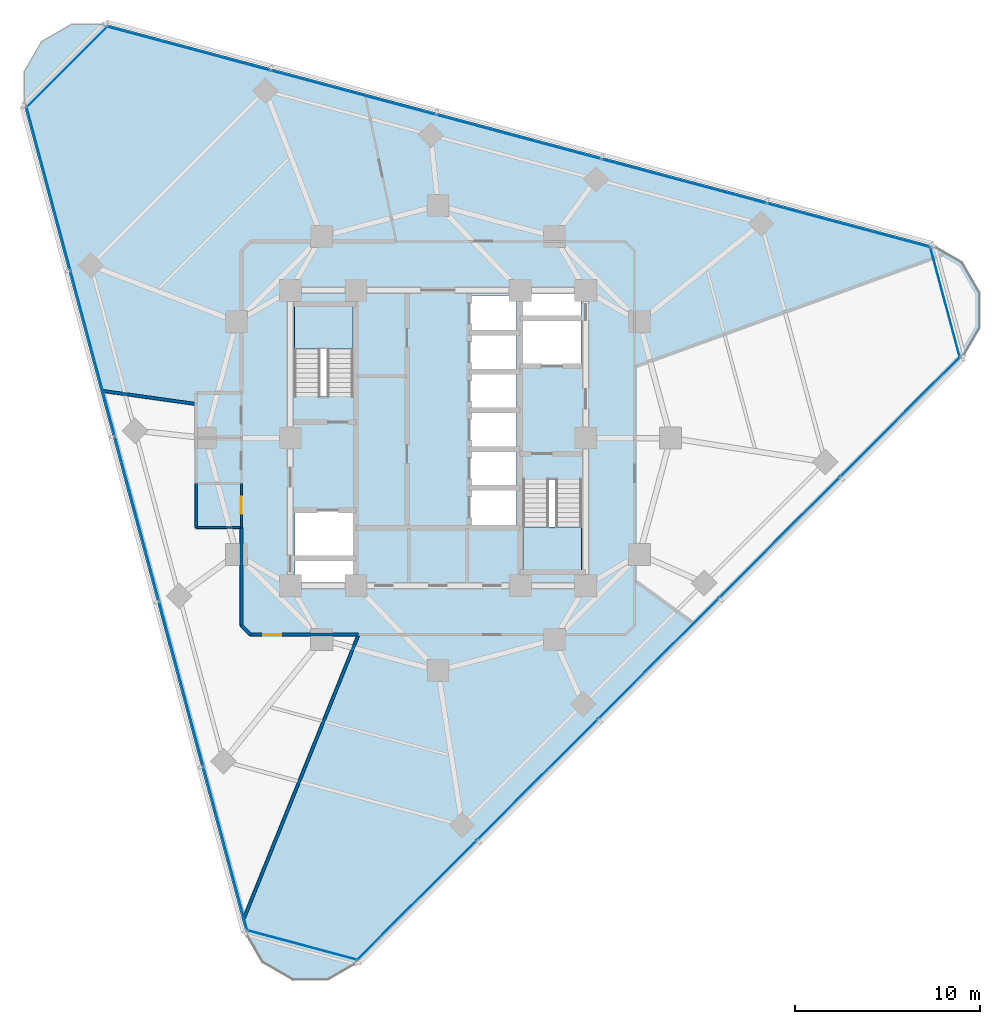
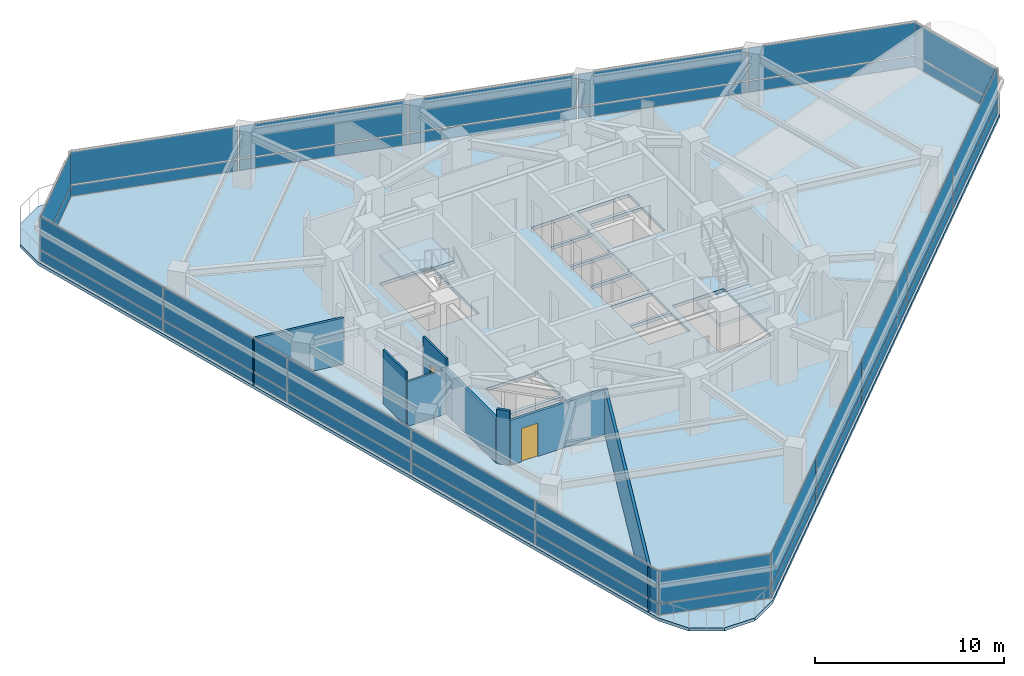
# One storey, part 6 of 13: 36 plates, 8 walls, 3 slabs, 2 doors, 2 openings, 8 elements without a shape of their own.
"""IFC4 building model written with IfcOpenShell, lengths in metres."""

from ifc_helpers import new_model, si_unit, direction, frame, frame_2d, origin, origin_2d, place, context, subcontext, project, spatial, polyline, rectangle, outline, extrude, material, layer, layer_set, type_object, element, fill, aggregate, save


model = new_model("IFC4")

# Units and contexts
model_context = context("Model", 3, precision=1e-05, world=origin(), true_north=direction((0.0, 1.0)))
body_context = subcontext(model_context, "Body", "Model", "MODEL_VIEW")
ifc_project = project(units=[si_unit("LENGTHUNIT", "METRE"), si_unit("AREAUNIT", "SQUARE_METRE"), si_unit("VOLUMEUNIT", "CUBIC_METRE"), si_unit("PLANEANGLEUNIT", "RADIAN"), si_unit("MASSUNIT", "GRAM", prefix="KILO")], contexts=[model_context])

# Site, building, storey
site_placement = place(None, origin())
site = spatial("IfcSite", under=ifc_project, at=site_placement, CompositionType="ELEMENT")
building_placement = place(site_placement, origin())
building = spatial("IfcBuilding", under=site, at=building_placement, Name="Terralouvre Media Tower", CompositionType="ELEMENT")
storey_placement = place(building_placement, frame((0.0, 0.0, 202.699951171875)))
storey = spatial("IfcBuildingStorey", under=building, at=storey_placement, Name="L52", CompositionType="ELEMENT", Elevation=202.699951171875)

# Slab
ifc_material_1 = material(Name="Concrete C40/50", Category="concrete")
ifc_layer_1 = layer(ifc_material_1, 0.199951171875, Name="Composite Tower Floor Slab S-TYP200")
ifc_layer_set_1 = layer_set([ifc_layer_1], Name="Concrete C40/50")
slab_type_1 = type_object("IfcSlabType", Name="Composite Tower Floor Slab S-TYP200", PredefinedType="FLOOR", material=ifc_layer_set_1)
slab_1_placement = place(storey_placement, frame((0.0, 0.0, -0.199951171875), z_axis=(0.0, 0.0, 1.0), x_axis=(0.707106781187, 0.707106781187, 0.0)))
element("IfcSlab", 1, at=slab_1_placement, inside=storey, type_object=slab_type_1, Name="L52 Structural Floor Slab", PredefinedType="FLOOR", context=body_context, shape_type="SweptSolid", body=[
    extrude(outline(polyline([(-26.31494140625, -11.572998046875), (-26.800048828125, -13.383056640625), (-26.31494140625, -15.19287109375), (-24.989990234375, -16.51806640625), (-23.179931640625, -17.0029296875), (23.179931640625, -17.0029296875), (24.989990234375, -16.51806640625), (26.31494140625, -15.19287109375), (26.800048828125, -13.383056640625), (26.31494140625, -11.572998046875), (3.135009765625, 28.575927734375), (1.81005859375, 29.90087890625), (0.0, 30.385986328125), (-1.81005859375, 29.90087890625), (-3.135009765625, 28.575927734375), (-26.31494140625, -11.572998046875)]), holes=[polyline([(-7.919677734375, -1.414306640625), (-8.76806640625, -2.2626953125), (-10.99560546875, -0.035400390625), (-10.14697265625, 0.813232421875), (-7.919677734375, -1.414306640625)]), polyline([(-7.778076171875, -1.272705078125), (-10.005615234375, 0.95458984375), (-8.273193359375, 2.68701171875), (-6.045654296875, 0.459716796875), (-7.778076171875, -1.272705078125)]), polyline([(4.122314453125, -1.887939453125), (2.354736328125, -0.1201171875), (3.7265625, 1.25146484375), (5.494140625, -0.51611328125), (4.122314453125, -1.887939453125)]), polyline([(6.979248046875, 0.96875), (5.607421875, -0.403076171875), (3.839599609375, 1.36474609375), (5.21142578125, 2.736572265625), (6.979248046875, 0.96875)]), polyline([(-1.665283203125, 4.840087890625), (-3.913818359375, 7.0888671875), (-0.36767578125, 10.634765625), (1.880859375, 8.38623046875), (-1.665283203125, 4.840087890625)]), polyline([(7.09228515625, 1.081787109375), (5.324462890625, 2.849609375), (6.6962890625, 4.221435546875), (8.464111328125, 2.45361328125), (7.09228515625, 1.081787109375)]), polyline([(-1.880859375, -8.38623046875), (1.665283203125, -4.840087890625), (3.913818359375, -7.0888671875), (0.36767578125, -10.634765625), (-1.880859375, -8.38623046875)]), polyline([(-0.332275390625, -6.3427734375), (-2.10009765625, -4.574951171875), (-0.728271484375, -3.203125), (1.03955078125, -4.970947265625), (-0.332275390625, -6.3427734375)]), polyline([(1.152587890625, -4.85791015625), (-0.615234375, -3.090087890625), (0.756591796875, -1.71826171875), (2.5244140625, -3.486083984375), (1.152587890625, -4.85791015625)]), polyline([(4.00927734375, -2.001220703125), (2.637451171875, -3.372802734375), (0.86962890625, -1.605224609375), (2.241455078125, -0.2333984375), (4.00927734375, -2.001220703125)]), polyline([(8.273193359375, -2.68701171875), (6.045654296875, -0.459716796875), (7.778076171875, 1.272705078125), (10.005615234375, -0.95458984375), (8.273193359375, -2.68701171875)]), polyline([(10.14697265625, -0.813232421875), (7.919677734375, 1.414306640625), (8.76806640625, 2.2626953125), (10.99560546875, 0.035400390625), (10.14697265625, -0.813232421875)])]), origin(), (0.0, 0.0, 1.0), 0.199951171875),
])

# Stair, slab
ifc_material_2 = material(Name="Concrete C45/55", Category="concrete")
stair_type_1 = type_object("IfcStairType", Name="Dogleg Stair Assembly ST-01", PredefinedType="HALF_TURN_STAIR", material=ifc_material_2)
stair_1_placement = place(storey_placement, origin())
stair_1 = element("IfcStair", 2, at=stair_1_placement, inside=storey, type_object=stair_type_1, Name="L52 Core Pressurised Exit Stair ST-01", PredefinedType="HALF_TURN_STAIR")
ifc_material_3 = material(Name="Concrete C45/55", Category="concrete")
ifc_layer_2 = layer(ifc_material_3, 0.199951171875, Name="Reinforced Concrete Stair Half-Landing SL-LD1")
ifc_layer_set_2 = layer_set([ifc_layer_2], Name="Concrete C45/55")
slab_type_2 = type_object("IfcSlabType", Name="Reinforced Concrete Stair Half-Landing SL-LD1", PredefinedType="LANDING", material=ifc_layer_set_2)
slab_2_placement = place(storey_placement, frame((0.0, 0.0, 1.650146484375)))
slab_2 = element("IfcSlab", 3, at=slab_2_placement, type_object=slab_type_2, Name="ST-01 landing 1", PredefinedType="LANDING", context=body_context, shape_type="SweptSolid", body=[
    extrude(outline(polyline([(-4.60009765625, 4.820068359375), (-4.60009765625, 7.260009765625), (-7.780029296875, 7.260009765625), (-7.780029296875, 4.820068359375), (-4.60009765625, 4.820068359375)])), origin(), (0.0, 0.0, 1.0), 0.199951171875),
])
aggregate(stair_1, [slab_2])

ifc_material_4 = material(Name="Concrete C45/55", Category="concrete")
stair_type_2 = type_object("IfcStairType", Name="Dogleg Stair Assembly ST-02", PredefinedType="HALF_TURN_STAIR", material=ifc_material_4)
stair_2_placement = place(storey_placement, origin())
stair_2 = element("IfcStair", 4, at=stair_2_placement, inside=storey, type_object=stair_type_2, Name="L52 Core Pressurised Exit Stair ST-02", PredefinedType="HALF_TURN_STAIR")
slab_3_placement = place(storey_placement, frame((0.0, 0.0, 1.650146484375)))
slab_3 = element("IfcSlab", 5, at=slab_3_placement, type_object=slab_type_2, Name="ST-02 landing 1", PredefinedType="LANDING", context=body_context, shape_type="SweptSolid", body=[
    extrude(outline(polyline([(4.60009765625, -4.820068359375), (4.60009765625, -7.260009765625), (7.780029296875, -7.260009765625), (7.780029296875, -4.820068359375), (4.60009765625, -4.820068359375)])), origin(), (0.0, 0.0, 1.0), 0.199951171875),
])
aggregate(stair_2, [slab_3])

# Curtain wall, plates
ifc_material_5 = material(Name="Low-iron laminated double glazing with solar-control coating", Category="glass")
ifc_layer_3 = layer(ifc_material_5, 0.1650390625, Name="Rounded Wind-Corner Curved Glazing CW-04")
ifc_layer_set_3 = layer_set([ifc_layer_3], Name="Low-iron laminated double glazing with solar-control coating")
curtain_wall_type_1 = type_object("IfcCurtainWallType", Name="Rounded Wind-Corner Curved Glazing CW-04", PredefinedType="NOTDEFINED", material=ifc_layer_set_3)
curtain_wall_1_placement = place(storey_placement, origin())
curtain_wall_1 = element("IfcCurtainWall", 6, at=curtain_wall_1_placement, inside=storey, type_object=curtain_wall_type_1, Name="L52 Rounded Wind-Corner Curtain Wall C0", PredefinedType="NOTDEFINED")
ifc_material_6 = material(Name="Low-iron laminated double glazing with solar-control coating", Category="glass")
ifc_layer_4 = layer(ifc_material_6, 0.0400390625, Name="Rounded Corner Laminated Vision Panel CWP-03")
ifc_layer_set_4 = layer_set([ifc_layer_4], Name="Low-iron laminated double glazing with solar-control coating")
plate_type_1 = type_object("IfcPlateType", Name="Rounded Corner Laminated Vision Panel CWP-03", PredefinedType="CURTAIN_PANEL", material=ifc_layer_set_4)
plate_1_placement = place(storey_placement, frame((-7.35986328125, -27.467041015625, 0.074951171875), z_axis=(0.0, 0.0, 1.0), x_axis=(0.965925911218, -0.258818728144, 0.0)))
plate_1 = element("IfcPlate", 7, at=plate_1_placement, type_object=plate_type_1, Name="CW-04 panel 1.1", PredefinedType="CURTAIN_PANEL", context=body_context, shape_type="SweptSolid", body=[
    extrude(rectangle(XDim=6.1201171875, YDim=0.035888671875, at=origin_2d()), origin(), (0.0, 0.0, 1.0), 0.6875),
])
plate_2_placement = place(storey_placement, frame((-7.35986328125, -27.467041015625, 0.837646484375), z_axis=(0.0, 0.0, 1.0), x_axis=(0.965925911218, -0.258818728144, 0.0)))
plate_2 = element("IfcPlate", 8, at=plate_2_placement, type_object=plate_type_1, Name="CW-04 panel 1.2", PredefinedType="CURTAIN_PANEL", context=body_context, shape_type="SweptSolid", body=[
    extrude(rectangle(XDim=6.1201171875, YDim=0.035888671875, at=origin_2d()), origin(), (0.0, 0.0, 1.0), 2.08740234375),
])
aggregate(curtain_wall_1, [plate_1, plate_2])

curtain_wall_2_placement = place(storey_placement, origin())
curtain_wall_2 = element("IfcCurtainWall", 9, at=curtain_wall_2_placement, inside=storey, type_object=curtain_wall_type_1, Name="L52 Rounded Wind-Corner Curtain Wall C1", PredefinedType="NOTDEFINED")
plate_3_placement = place(storey_placement, frame((27.467041015625, 7.35986328125, 0.074951171875), z_axis=(0.0, 0.0, 1.0), x_axis=(-0.258818728144, 0.965925911218, 0.0)))
plate_3 = element("IfcPlate", 10, at=plate_3_placement, type_object=plate_type_1, Name="CW-04 panel 1.1", PredefinedType="CURTAIN_PANEL", context=body_context, shape_type="SweptSolid", body=[
    extrude(rectangle(XDim=6.1201171875, YDim=0.035888671875, at=origin_2d()), origin(), (0.0, 0.0, 1.0), 0.6875),
])
plate_4_placement = place(storey_placement, frame((27.467041015625, 7.35986328125, 0.837646484375), z_axis=(0.0, 0.0, 1.0), x_axis=(-0.258818728144, 0.965925911218, 0.0)))
plate_4 = element("IfcPlate", 11, at=plate_4_placement, type_object=plate_type_1, Name="CW-04 panel 1.2", PredefinedType="CURTAIN_PANEL", context=body_context, shape_type="SweptSolid", body=[
    extrude(rectangle(XDim=6.1201171875, YDim=0.035888671875, at=origin_2d()), origin(), (0.0, 0.0, 1.0), 2.08740234375),
])
aggregate(curtain_wall_2, [plate_3, plate_4])

curtain_wall_3_placement = place(storey_placement, origin())
curtain_wall_3 = element("IfcCurtainWall", 12, at=curtain_wall_3_placement, inside=storey, type_object=curtain_wall_type_1, Name="L52 Rounded Wind-Corner Curtain Wall C2", PredefinedType="NOTDEFINED")
plate_5_placement = place(storey_placement, frame((-20.107177734375, 20.107177734375, 0.074951171875), z_axis=(0.0, 0.0, 1.0), x_axis=(-0.707106781187, -0.707106781187, 0.0)))
plate_5 = element("IfcPlate", 13, at=plate_5_placement, type_object=plate_type_1, Name="CW-04 panel 1.1", PredefinedType="CURTAIN_PANEL", context=body_context, shape_type="SweptSolid", body=[
    extrude(rectangle(XDim=6.1201171875, YDim=0.035888671875, at=origin_2d()), origin(), (0.0, 0.0, 1.0), 0.6875),
])
plate_6_placement = place(storey_placement, frame((-20.107177734375, 20.107177734375, 0.837646484375), z_axis=(0.0, 0.0, 1.0), x_axis=(-0.707106781187, -0.707106781187, 0.0)))
plate_6 = element("IfcPlate", 14, at=plate_6_placement, type_object=plate_type_1, Name="CW-04 panel 1.2", PredefinedType="CURTAIN_PANEL", context=body_context, shape_type="SweptSolid", body=[
    extrude(rectangle(XDim=6.1201171875, YDim=0.035888671875, at=origin_2d()), origin(), (0.0, 0.0, 1.0), 2.08740234375),
])
aggregate(curtain_wall_3, [plate_5, plate_6])

ifc_material_7 = material(Name="Low-iron laminated double glazing with solar-control coating", Category="glass")
ifc_layer_5 = layer(ifc_material_7, 0.1650390625, Name="Production Studio Tower Curtain Wall CW-03")
ifc_layer_set_5 = layer_set([ifc_layer_5], Name="Low-iron laminated double glazing with solar-control coating")
curtain_wall_type_2 = type_object("IfcCurtainWallType", Name="Production Studio Tower Curtain Wall CW-03", PredefinedType="NOTDEFINED", material=ifc_layer_set_5)
curtain_wall_4_placement = place(storey_placement, origin())
curtain_wall_4 = element("IfcCurtainWall", 15, at=curtain_wall_4_placement, inside=storey, type_object=curtain_wall_type_2, Name="L52 Facade Curtain Wall F0", PredefinedType="NOTDEFINED")
ifc_material_8 = material(Name="Low-iron laminated double glazing with solar-control coating", Category="glass")
ifc_layer_6 = layer(ifc_material_8, 0.035888671875, Name="Vision Double-Glazed Unit CWP-01")
ifc_layer_set_6 = layer_set([ifc_layer_6], Name="Low-iron laminated double glazing with solar-control coating")
plate_type_2 = type_object("IfcPlateType", Name="Vision Double-Glazed Unit CWP-01", PredefinedType="CURTAIN_PANEL", material=ifc_layer_set_6)
plate_7_placement = place(storey_placement, frame((-1.161376953125, -25.037353515625, 0.074951171875), z_axis=(0.0, 0.0, 1.0), x_axis=(0.707106781187, 0.707106781187, 0.0)))
plate_7 = element("IfcPlate", 16, at=plate_7_placement, type_object=plate_type_2, Name="CW-03 panel 1.1", PredefinedType="CURTAIN_PANEL", context=body_context, shape_type="SweptSolid", body=[
    extrude(rectangle(XDim=9.159423828125, YDim=0.035888671875, at=origin_2d()), origin(), (0.0, 0.0, 1.0), 0.6875),
])
plate_8_placement = place(storey_placement, frame((-1.161376953125, -25.037353515625, 0.837646484375), z_axis=(0.0, 0.0, 1.0), x_axis=(0.707106781187, 0.707106781187, 0.0)))
plate_8 = element("IfcPlate", 17, at=plate_8_placement, type_object=plate_type_2, Name="CW-03 panel 1.2", PredefinedType="CURTAIN_PANEL", context=body_context, shape_type="SweptSolid", body=[
    extrude(rectangle(XDim=9.159423828125, YDim=0.035888671875, at=origin_2d()), origin(), (0.0, 0.0, 1.0), 2.08740234375),
])
plate_9_placement = place(storey_placement, frame((5.3818359375, -18.494384765625, 0.074951171875), z_axis=(0.0, 0.0, 1.0), x_axis=(0.707106781187, 0.707106781187, 0.0)))
plate_9 = element("IfcPlate", 18, at=plate_9_placement, type_object=plate_type_2, Name="CW-03 panel 2.1", PredefinedType="CURTAIN_PANEL", context=body_context, shape_type="SweptSolid", body=[
    extrude(rectangle(XDim=9.197021484375, YDim=0.035888671875, at=origin_2d()), origin(), (0.0, 0.0, 1.0), 0.6875),
])
plate_10_placement = place(storey_placement, frame((5.3818359375, -18.494384765625, 0.837646484375), z_axis=(0.0, 0.0, 1.0), x_axis=(0.707106781187, 0.707106781187, 0.0)))
plate_10 = element("IfcPlate", 19, at=plate_10_placement, type_object=plate_type_2, Name="CW-03 panel 2.2", PredefinedType="CURTAIN_PANEL", context=body_context, shape_type="SweptSolid", body=[
    extrude(rectangle(XDim=9.197021484375, YDim=0.035888671875, at=origin_2d()), origin(), (0.0, 0.0, 1.0), 2.08740234375),
])
plate_11_placement = place(storey_placement, frame((11.93798828125, -11.93798828125, 0.074951171875), z_axis=(0.0, 0.0, 1.0), x_axis=(0.707106781187, 0.707106781187, 0.0)))
plate_11 = element("IfcPlate", 20, at=plate_11_placement, type_object=plate_type_2, Name="CW-03 panel 3.1", PredefinedType="CURTAIN_PANEL", context=body_context, shape_type="SweptSolid", body=[
    extrude(rectangle(XDim=9.197021484375, YDim=0.035888671875, at=origin_2d()), origin(), (0.0, 0.0, 1.0), 0.6875),
])
plate_12_placement = place(storey_placement, frame((11.93798828125, -11.93798828125, 0.837646484375), z_axis=(0.0, 0.0, 1.0), x_axis=(0.707106781187, 0.707106781187, 0.0)))
plate_12 = element("IfcPlate", 21, at=plate_12_placement, type_object=plate_type_2, Name="CW-03 panel 3.2", PredefinedType="CURTAIN_PANEL", context=body_context, shape_type="SweptSolid", body=[
    extrude(rectangle(XDim=9.197021484375, YDim=0.035888671875, at=origin_2d()), origin(), (0.0, 0.0, 1.0), 2.08740234375),
])
plate_13_placement = place(storey_placement, frame((18.494384765625, -5.3818359375, 0.074951171875), z_axis=(0.0, 0.0, 1.0), x_axis=(0.707106781187, 0.707106781187, 0.0)))
plate_13 = element("IfcPlate", 22, at=plate_13_placement, type_object=plate_type_2, Name="CW-03 panel 4.1", PredefinedType="CURTAIN_PANEL", context=body_context, shape_type="SweptSolid", body=[
    extrude(rectangle(XDim=9.197021484375, YDim=0.035888671875, at=origin_2d()), origin(), (0.0, 0.0, 1.0), 0.6875),
])
plate_14_placement = place(storey_placement, frame((18.494384765625, -5.3818359375, 0.837646484375), z_axis=(0.0, 0.0, 1.0), x_axis=(0.707106781187, 0.707106781187, 0.0)))
plate_14 = element("IfcPlate", 23, at=plate_14_placement, type_object=plate_type_2, Name="CW-03 panel 4.2", PredefinedType="CURTAIN_PANEL", context=body_context, shape_type="SweptSolid", body=[
    extrude(rectangle(XDim=9.197021484375, YDim=0.035888671875, at=origin_2d()), origin(), (0.0, 0.0, 1.0), 2.08740234375),
])
plate_15_placement = place(storey_placement, frame((25.037353515625, 1.161376953125, 0.074951171875), z_axis=(0.0, 0.0, 1.0), x_axis=(0.707106781187, 0.707106781187, 0.0)))
plate_15 = element("IfcPlate", 24, at=plate_15_placement, type_object=plate_type_2, Name="CW-03 panel 5.1", PredefinedType="CURTAIN_PANEL", context=body_context, shape_type="SweptSolid", body=[
    extrude(rectangle(XDim=9.159423828125, YDim=0.035888671875, at=origin_2d()), origin(), (0.0, 0.0, 1.0), 0.6875),
])
plate_16_placement = place(storey_placement, frame((25.037353515625, 1.161376953125, 0.837646484375), z_axis=(0.0, 0.0, 1.0), x_axis=(0.707106781187, 0.707106781187, 0.0)))
plate_16 = element("IfcPlate", 25, at=plate_16_placement, type_object=plate_type_2, Name="CW-03 panel 5.2", PredefinedType="CURTAIN_PANEL", context=body_context, shape_type="SweptSolid", body=[
    extrude(rectangle(XDim=9.159423828125, YDim=0.035888671875, at=origin_2d()), origin(), (0.0, 0.0, 1.0), 2.08740234375),
])
aggregate(curtain_wall_4, [plate_7, plate_8, plate_9, plate_10, plate_11, plate_12, plate_13, plate_14, plate_15, plate_16])

curtain_wall_5_placement = place(storey_placement, origin())
curtain_wall_5 = element("IfcCurtainWall", 26, at=curtain_wall_5_placement, inside=storey, type_object=curtain_wall_type_2, Name="L52 Facade Curtain Wall F1", PredefinedType="NOTDEFINED")
plate_17_placement = place(storey_placement, frame((22.263671875, 11.512939453125, 0.074951171875), z_axis=(0.0, 0.0, 1.0), x_axis=(-0.96592582942, 0.25881903342, 0.0)))
plate_17 = element("IfcPlate", 27, at=plate_17_placement, type_object=plate_type_2, Name="CW-03 panel 1.1", PredefinedType="CURTAIN_PANEL", context=body_context, shape_type="SweptSolid", body=[
    extrude(rectangle(XDim=9.159423828125, YDim=0.035888671875, at=origin_2d()), origin(), (0.0, 0.0, 1.0), 0.6875),
])
plate_18_placement = place(storey_placement, frame((22.263671875, 11.512939453125, 0.837646484375), z_axis=(0.0, 0.0, 1.0), x_axis=(-0.96592582942, 0.25881903342, 0.0)))
plate_18 = element("IfcPlate", 28, at=plate_18_placement, type_object=plate_type_2, Name="CW-03 panel 1.2", PredefinedType="CURTAIN_PANEL", context=body_context, shape_type="SweptSolid", body=[
    extrude(rectangle(XDim=9.159423828125, YDim=0.035888671875, at=origin_2d()), origin(), (0.0, 0.0, 1.0), 2.08740234375),
])
plate_19_placement = place(storey_placement, frame((13.32568359375, 13.907958984375, 0.074951171875), z_axis=(0.0, 0.0, 1.0), x_axis=(-0.96592582942, 0.25881903342, 0.0)))
plate_19 = element("IfcPlate", 29, at=plate_19_placement, type_object=plate_type_2, Name="CW-03 panel 2.1", PredefinedType="CURTAIN_PANEL", context=body_context, shape_type="SweptSolid", body=[
    extrude(rectangle(XDim=9.197021484375, YDim=0.035888671875, at=origin_2d()), origin(), (0.0, 0.0, 1.0), 0.6875),
])
plate_20_placement = place(storey_placement, frame((13.32568359375, 13.907958984375, 0.837646484375), z_axis=(0.0, 0.0, 1.0), x_axis=(-0.96592582942, 0.25881903342, 0.0)))
plate_20 = element("IfcPlate", 30, at=plate_20_placement, type_object=plate_type_2, Name="CW-03 panel 2.2", PredefinedType="CURTAIN_PANEL", context=body_context, shape_type="SweptSolid", body=[
    extrude(rectangle(XDim=9.197021484375, YDim=0.035888671875, at=origin_2d()), origin(), (0.0, 0.0, 1.0), 2.08740234375),
])
plate_21_placement = place(storey_placement, frame((4.36962890625, 16.3076171875, 0.074951171875), z_axis=(0.0, 0.0, 1.0), x_axis=(-0.96592582942, 0.25881903342, 0.0)))
plate_21 = element("IfcPlate", 31, at=plate_21_placement, type_object=plate_type_2, Name="CW-03 panel 3.1", PredefinedType="CURTAIN_PANEL", context=body_context, shape_type="SweptSolid", body=[
    extrude(rectangle(XDim=9.197021484375, YDim=0.035888671875, at=origin_2d()), origin(), (0.0, 0.0, 1.0), 0.6875),
])
plate_22_placement = place(storey_placement, frame((4.36962890625, 16.3076171875, 0.837646484375), z_axis=(0.0, 0.0, 1.0), x_axis=(-0.96592582942, 0.25881903342, 0.0)))
plate_22 = element("IfcPlate", 32, at=plate_22_placement, type_object=plate_type_2, Name="CW-03 panel 3.2", PredefinedType="CURTAIN_PANEL", context=body_context, shape_type="SweptSolid", body=[
    extrude(rectangle(XDim=9.197021484375, YDim=0.035888671875, at=origin_2d()), origin(), (0.0, 0.0, 1.0), 2.08740234375),
])
plate_23_placement = place(storey_placement, frame((-4.58642578125, 18.70751953125, 0.074951171875), z_axis=(0.0, 0.0, 1.0), x_axis=(-0.96592582942, 0.25881903342, 0.0)))
plate_23 = element("IfcPlate", 33, at=plate_23_placement, type_object=plate_type_2, Name="CW-03 panel 4.1", PredefinedType="CURTAIN_PANEL", context=body_context, shape_type="SweptSolid", body=[
    extrude(rectangle(XDim=9.197021484375, YDim=0.035888671875, at=origin_2d()), origin(), (0.0, 0.0, 1.0), 0.6875),
])
plate_24_placement = place(storey_placement, frame((-4.58642578125, 18.70751953125, 0.837646484375), z_axis=(0.0, 0.0, 1.0), x_axis=(-0.96592582942, 0.25881903342, 0.0)))
plate_24 = element("IfcPlate", 34, at=plate_24_placement, type_object=plate_type_2, Name="CW-03 panel 4.2", PredefinedType="CURTAIN_PANEL", context=body_context, shape_type="SweptSolid", body=[
    extrude(rectangle(XDim=9.197021484375, YDim=0.035888671875, at=origin_2d()), origin(), (0.0, 0.0, 1.0), 2.08740234375),
])
plate_25_placement = place(storey_placement, frame((-13.5244140625, 21.102294921875, 0.074951171875), z_axis=(0.0, 0.0, 1.0), x_axis=(-0.96592582942, 0.25881903342, 0.0)))
plate_25 = element("IfcPlate", 35, at=plate_25_placement, type_object=plate_type_2, Name="CW-03 panel 5.1", PredefinedType="CURTAIN_PANEL", context=body_context, shape_type="SweptSolid", body=[
    extrude(rectangle(XDim=9.159423828125, YDim=0.035888671875, at=origin_2d()), origin(), (0.0, 0.0, 1.0), 0.6875),
])
plate_26_placement = place(storey_placement, frame((-13.5244140625, 21.102294921875, 0.837646484375), z_axis=(0.0, 0.0, 1.0), x_axis=(-0.96592582942, 0.25881903342, 0.0)))
plate_26 = element("IfcPlate", 36, at=plate_26_placement, type_object=plate_type_2, Name="CW-03 panel 5.2", PredefinedType="CURTAIN_PANEL", context=body_context, shape_type="SweptSolid", body=[
    extrude(rectangle(XDim=9.159423828125, YDim=0.035888671875, at=origin_2d()), origin(), (0.0, 0.0, 1.0), 2.08740234375),
])
aggregate(curtain_wall_5, [plate_17, plate_18, plate_19, plate_20, plate_21, plate_22, plate_23, plate_24, plate_25, plate_26])

curtain_wall_6_placement = place(storey_placement, origin())
curtain_wall_6 = element("IfcCurtainWall", 37, at=curtain_wall_6_placement, inside=storey, type_object=curtain_wall_type_2, Name="L52 Facade Curtain Wall F2", PredefinedType="NOTDEFINED")
plate_27_placement = place(storey_placement, frame((-21.102294921875, 13.5244140625, 0.074951171875), z_axis=(0.0, 0.0, 1.0), x_axis=(0.25881903342, -0.96592582942, 0.0)))
plate_27 = element("IfcPlate", 38, at=plate_27_placement, type_object=plate_type_2, Name="CW-03 panel 1.1", PredefinedType="CURTAIN_PANEL", context=body_context, shape_type="SweptSolid", body=[
    extrude(rectangle(XDim=9.159423828125, YDim=0.035888671875, at=origin_2d()), origin(), (0.0, 0.0, 1.0), 0.6875),
])
plate_28_placement = place(storey_placement, frame((-21.102294921875, 13.5244140625, 0.837646484375), z_axis=(0.0, 0.0, 1.0), x_axis=(0.25881903342, -0.96592582942, 0.0)))
plate_28 = element("IfcPlate", 39, at=plate_28_placement, type_object=plate_type_2, Name="CW-03 panel 1.2", PredefinedType="CURTAIN_PANEL", context=body_context, shape_type="SweptSolid", body=[
    extrude(rectangle(XDim=9.159423828125, YDim=0.035888671875, at=origin_2d()), origin(), (0.0, 0.0, 1.0), 2.08740234375),
])
plate_29_placement = place(storey_placement, frame((-18.70751953125, 4.58642578125, 0.074951171875), z_axis=(0.0, 0.0, 1.0), x_axis=(0.25881903342, -0.96592582942, 0.0)))
plate_29 = element("IfcPlate", 40, at=plate_29_placement, type_object=plate_type_2, Name="CW-03 panel 2.1", PredefinedType="CURTAIN_PANEL", context=body_context, shape_type="SweptSolid", body=[
    extrude(rectangle(XDim=9.197021484375, YDim=0.035888671875, at=origin_2d()), origin(), (0.0, 0.0, 1.0), 0.6875),
])
plate_30_placement = place(storey_placement, frame((-18.70751953125, 4.58642578125, 0.837646484375), z_axis=(0.0, 0.0, 1.0), x_axis=(0.25881903342, -0.96592582942, 0.0)))
plate_30 = element("IfcPlate", 41, at=plate_30_placement, type_object=plate_type_2, Name="CW-03 panel 2.2", PredefinedType="CURTAIN_PANEL", context=body_context, shape_type="SweptSolid", body=[
    extrude(rectangle(XDim=9.197021484375, YDim=0.035888671875, at=origin_2d()), origin(), (0.0, 0.0, 1.0), 2.08740234375),
])
plate_31_placement = place(storey_placement, frame((-16.3076171875, -4.36962890625, 0.074951171875), z_axis=(0.0, 0.0, 1.0), x_axis=(0.25881903342, -0.96592582942, 0.0)))
plate_31 = element("IfcPlate", 42, at=plate_31_placement, type_object=plate_type_2, Name="CW-03 panel 3.1", PredefinedType="CURTAIN_PANEL", context=body_context, shape_type="SweptSolid", body=[
    extrude(rectangle(XDim=9.197021484375, YDim=0.035888671875, at=origin_2d()), origin(), (0.0, 0.0, 1.0), 0.6875),
])
plate_32_placement = place(storey_placement, frame((-16.3076171875, -4.36962890625, 0.837646484375), z_axis=(0.0, 0.0, 1.0), x_axis=(0.25881903342, -0.96592582942, 0.0)))
plate_32 = element("IfcPlate", 43, at=plate_32_placement, type_object=plate_type_2, Name="CW-03 panel 3.2", PredefinedType="CURTAIN_PANEL", context=body_context, shape_type="SweptSolid", body=[
    extrude(rectangle(XDim=9.197021484375, YDim=0.035888671875, at=origin_2d()), origin(), (0.0, 0.0, 1.0), 2.08740234375),
])
plate_33_placement = place(storey_placement, frame((-13.907958984375, -13.32568359375, 0.074951171875), z_axis=(0.0, 0.0, 1.0), x_axis=(0.25881903342, -0.96592582942, 0.0)))
plate_33 = element("IfcPlate", 44, at=plate_33_placement, type_object=plate_type_2, Name="CW-03 panel 4.1", PredefinedType="CURTAIN_PANEL", context=body_context, shape_type="SweptSolid", body=[
    extrude(rectangle(XDim=9.197021484375, YDim=0.035888671875, at=origin_2d()), origin(), (0.0, 0.0, 1.0), 0.6875),
])
plate_34_placement = place(storey_placement, frame((-13.907958984375, -13.32568359375, 0.837646484375), z_axis=(0.0, 0.0, 1.0), x_axis=(0.25881903342, -0.96592582942, 0.0)))
plate_34 = element("IfcPlate", 45, at=plate_34_placement, type_object=plate_type_2, Name="CW-03 panel 4.2", PredefinedType="CURTAIN_PANEL", context=body_context, shape_type="SweptSolid", body=[
    extrude(rectangle(XDim=9.197021484375, YDim=0.035888671875, at=origin_2d()), origin(), (0.0, 0.0, 1.0), 2.08740234375),
])
plate_35_placement = place(storey_placement, frame((-11.512939453125, -22.263671875, 0.074951171875), z_axis=(0.0, 0.0, 1.0), x_axis=(0.25881903342, -0.96592582942, 0.0)))
plate_35 = element("IfcPlate", 46, at=plate_35_placement, type_object=plate_type_2, Name="CW-03 panel 5.1", PredefinedType="CURTAIN_PANEL", context=body_context, shape_type="SweptSolid", body=[
    extrude(rectangle(XDim=9.159423828125, YDim=0.035888671875, at=origin_2d()), origin(), (0.0, 0.0, 1.0), 0.6875),
])
plate_36_placement = place(storey_placement, frame((-11.512939453125, -22.263671875, 0.837646484375), z_axis=(0.0, 0.0, 1.0), x_axis=(0.25881903342, -0.96592582942, 0.0)))
plate_36 = element("IfcPlate", 47, at=plate_36_placement, type_object=plate_type_2, Name="CW-03 panel 5.2", PredefinedType="CURTAIN_PANEL", context=body_context, shape_type="SweptSolid", body=[
    extrude(rectangle(XDim=9.159423828125, YDim=0.035888671875, at=origin_2d()), origin(), (0.0, 0.0, 1.0), 2.08740234375),
])
aggregate(curtain_wall_6, [plate_27, plate_28, plate_29, plate_30, plate_31, plate_32, plate_33, plate_34, plate_35, plate_36])

# Wall, opening, door
ifc_material_9 = material(Name="Fire-rated gypsum board drywall partition")
ifc_layer_7 = layer(ifc_material_9, 0.114990234375, Name="Restroom and Pantry Partition PT-115")
ifc_layer_set_7 = layer_set([ifc_layer_7], Name="Fire-rated gypsum board drywall partition")
wall_type_1 = type_object("IfcWallType", Name="Restroom and Pantry Partition PT-115", PredefinedType="PARTITIONING", material=ifc_layer_set_7)
wall_1_placement = place(storey_placement, frame((-10.64990234375, -2.449951171875, 0.0), z_axis=(0.0, 0.0, 1.0), x_axis=(0.0, -1.0, 0.0)))
wall_1 = element("IfcWall", 48, at=wall_1_placement, inside=storey, type_object=wall_type_1, Name="L52 Interior Partition 002", PredefinedType="PARTITIONING", context=body_context, shape_type="SweptSolid", body=[
    extrude(rectangle(XDim=2.400146484375, YDim=0.114990234375, at=frame_2d((1.2001953125, 0.0))), origin(), (0.0, 0.0, 1.0), 3.5),
])
opening_1_placement = place(wall_1_placement, frame((0.739990234375, 0.0, 0.0)))
opening_1 = element("IfcOpeningElement", 49, at=opening_1_placement, cuts=wall_1, Name="Opening ID-03-92X210", PredefinedType="OPENING", context=body_context, shape_type="SweptSolid", body=[
    extrude(rectangle(XDim=0.919921875, YDim=2.10009765625, at=frame_2d((0.4599609375, 1.050048828125))), frame((0.0, 0.0673828125, 0.0), z_axis=(0.0, -1.0, 0.0), x_axis=(1.0, 0.0, 0.0)), (0.0, 0.0, 1.0), 0.135009765625),
])
ifc_material_10 = material(Name="Engineered hardwood acoustic timber leaf", Category="wood")
door_type_1 = type_object("IfcDoorType", Name="Accessible Restroom and Suite Door ID-03 (920x2100)", OperationType="NOTDEFINED", PredefinedType="DOOR", material=ifc_material_10)
door_1_placement = place(opening_1_placement, origin())
door_1 = element("IfcDoor", 50, at=door_1_placement, inside=storey, type_object=door_type_1, Name="L52 Male Restroom WC Door", OperationType="SINGLE_SWING_LEFT", OverallHeight=2.10009765625, OverallWidth=0.919921875, PredefinedType="DOOR", context=body_context, shape_type="SweptSolid", body=[
    extrude(rectangle(XDim=0.919921875, YDim=2.10009765625, at=frame_2d((0.4599609375, 1.050048828125))), frame((0.0, 0.02490234375, 0.0), z_axis=(0.0, -1.0, 0.0), x_axis=(1.0, 0.0, 0.0)), (0.0, 0.0, 1.0), 0.050048828125),
])
fill(opening_1, door_1)

# Walls
wall_2_placement = place(storey_placement, frame((-13.10009765625, -2.449951171875, 0.0), z_axis=(0.0, 0.0, 1.0), x_axis=(0.0, -1.0, 0.0)))
element("IfcWall", 51, at=wall_2_placement, inside=storey, type_object=wall_type_1, Name="L52 Interior Partition 020", PredefinedType="PARTITIONING", context=body_context, shape_type="SweptSolid", body=[
    extrude(rectangle(XDim=2.400146484375, YDim=0.114990234375, at=frame_2d((1.2001953125, 0.0))), origin(), (0.0, 0.0, 1.0), 3.5),
])
wall_3_placement = place(storey_placement, frame((-13.10009765625, -4.85009765625, 0.0), z_axis=(0.0, 0.0, 1.0), x_axis=(1.0, 0.0, 0.0)))
element("IfcWall", 52, at=wall_3_placement, inside=storey, type_object=wall_type_1, Name="L52 Interior Partition 021", PredefinedType="PARTITIONING", context=body_context, shape_type="SweptSolid", body=[
    extrude(rectangle(XDim=2.4501953125, YDim=0.114990234375, at=frame_2d((1.22509765625, 0.0))), origin(), (0.0, 0.0, 1.0), 2.885009765625),
])
ifc_material_11 = material(Name="Fire-rated gypsum board drywall partition")
ifc_layer_8 = layer(ifc_material_11, 0.159912109375, Name="Studio Acoustic Rated Partition PT-160")
ifc_layer_set_8 = layer_set([ifc_layer_8], Name="Fire-rated gypsum board drywall partition")
wall_type_2 = type_object("IfcWallType", Name="Studio Acoustic Rated Partition PT-160", PredefinedType="PARTITIONING", material=ifc_layer_set_8)
wall_4_placement = place(storey_placement, frame((-10.64990234375, -4.85009765625, 0.0), z_axis=(0.0, 0.0, 1.0), x_axis=(0.0, -1.0, 0.0)))
element("IfcWall", 53, at=wall_4_placement, inside=storey, type_object=wall_type_2, Name="L52 Interior Partition 003", PredefinedType="PARTITIONING", context=body_context, shape_type="SweptSolid", body=[
    extrude(rectangle(XDim=5.2998046875, YDim=0.159912109375, at=frame_2d((2.64990234375, 0.0))), origin(), (0.0, 0.0, 1.0), 2.885009765625),
])
wall_5_placement = place(storey_placement, frame((-10.64990234375, -10.14990234375, 0.0), z_axis=(0.0, 0.0, 1.0), x_axis=(0.707106781187, -0.707106781187, 0.0)))
element("IfcWall", 54, at=wall_5_placement, inside=storey, type_object=wall_type_2, Name="L52 Interior Partition 004", PredefinedType="PARTITIONING", context=body_context, shape_type="SweptSolid", body=[
    extrude(rectangle(XDim=0.70703125, YDim=0.159912109375, at=frame_2d((0.353515625, 0.0))), origin(), (0.0, 0.0, 1.0), 3.5),
])

# Wall, opening, door
wall_6_placement = place(storey_placement, frame((-10.14990234375, -10.64990234375, 0.0), z_axis=(0.0, 0.0, 1.0), x_axis=(1.0, 0.0, 0.0)))
wall_6 = element("IfcWall", 55, at=wall_6_placement, inside=storey, type_object=wall_type_2, Name="L52 Interior Partition 005", PredefinedType="PARTITIONING", context=body_context, shape_type="SweptSolid", body=[
    extrude(rectangle(XDim=5.846923828125, YDim=0.159912109375, at=frame_2d((2.92333984375, 0.0))), origin(), (0.0, 0.0, 1.0), 2.885009765625),
])
opening_2_placement = place(wall_6_placement, frame((0.66943359375, 0.0, 0.0)))
opening_2 = element("IfcOpeningElement", 56, at=opening_2_placement, cuts=wall_6, Name="Opening ID-01-100X215", PredefinedType="OPENING", context=body_context, shape_type="SweptSolid", body=[
    extrude(rectangle(XDim=1.0, YDim=2.14990234375, at=frame_2d((0.5, 1.074951171875))), frame((0.0, 0.08984375, 0.0), z_axis=(0.0, -1.0, 0.0), x_axis=(1.0, 0.0, 0.0)), (0.0, 0.0, 1.0), 0.179931640625),
])
ifc_material_12 = material(Name="Engineered hardwood acoustic timber leaf", Category="wood")
door_type_2 = type_object("IfcDoorType", Name="Broadcast Studio Acoustic Single Door ID-01 (1000x2150)", OperationType="NOTDEFINED", PredefinedType="DOOR", material=ifc_material_12)
door_2_placement = place(opening_2_placement, origin())
door_2 = element("IfcDoor", 57, at=door_2_placement, inside=storey, type_object=door_type_2, Name="L52 Simultaneous Translation Control Room 1 Door", OperationType="SINGLE_SWING_RIGHT", OverallHeight=2.14990234375, OverallWidth=1.0, PredefinedType="DOOR", context=body_context, shape_type="SweptSolid", body=[
    extrude(rectangle(XDim=1.0, YDim=2.14990234375, at=frame_2d((0.5, 1.074951171875))), frame((0.0, 0.02490234375, 0.0), z_axis=(0.0, -1.0, 0.0), x_axis=(1.0, 0.0, 0.0)), (0.0, 0.0, 1.0), 0.050048828125),
])
fill(opening_2, door_2)

# Walls
wall_7_placement = place(storey_placement, frame((-10.53369140625, -26.072509765625, 0.0), z_axis=(0.0, 0.0, 1.0), x_axis=(0.374584629334, 0.927192728329, 0.0)))
element("IfcWall", 58, at=wall_7_placement, inside=storey, type_object=wall_type_2, Name="L52 Interior Partition 022", PredefinedType="PARTITIONING", context=body_context, shape_type="SweptSolid", body=[
    extrude(rectangle(XDim=16.633544921875, YDim=0.159912109375, at=frame_2d((8.31689453125, 0.0))), origin(), (0.0, 0.0, 1.0), 2.885009765625),
])
wall_8_placement = place(storey_placement, frame((-13.10009765625, 1.841064453125, 0.0), z_axis=(0.0, 0.0, 1.0), x_axis=(-0.990254946284, 0.139266440179, 0.0)))
element("IfcWall", 59, at=wall_8_placement, inside=storey, type_object=wall_type_2, Name="L52 Interior Partition 023", PredefinedType="PARTITIONING", context=body_context, shape_type="SweptSolid", body=[
    extrude(rectangle(XDim=5.15576171875, YDim=0.159912109375, at=frame_2d((2.577880859375, 0.0))), origin(), (0.0, 0.0, 1.0), 2.97509765625),
])

save(model, "model.ifc")
